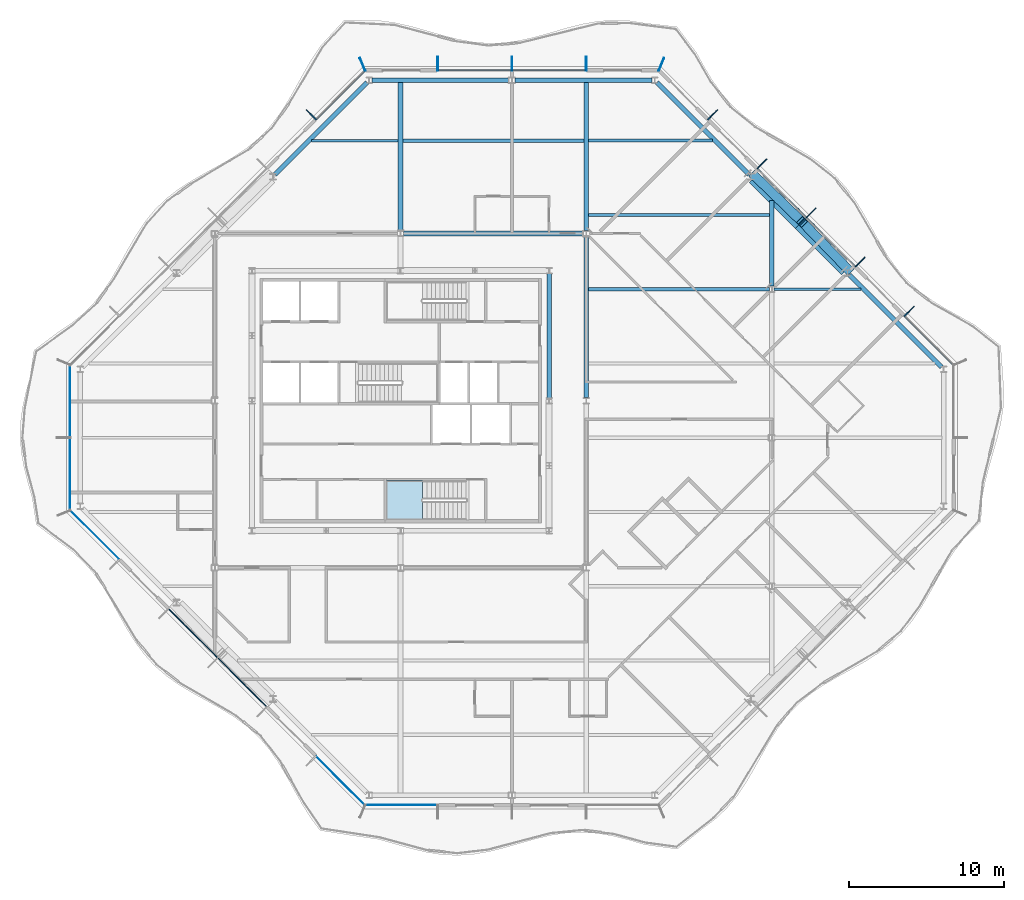
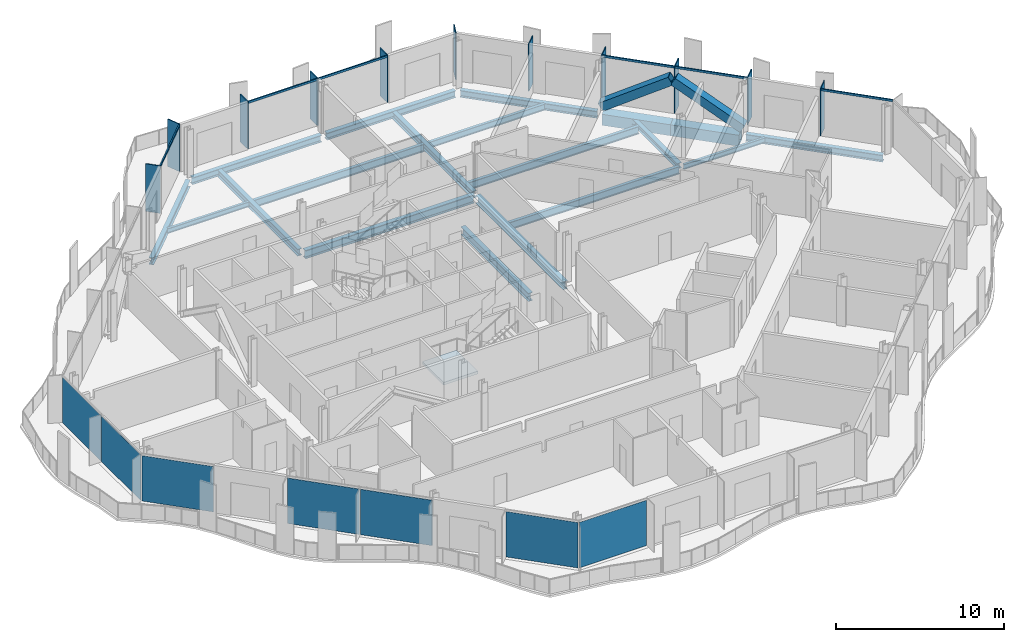
# One storey, part 5 of 17: 19 beams, 19 members, 7 plates, 1 slab, 7 elements without a shape of their own.
"""IFC4 building model written with IfcOpenShell, lengths in metres."""

from ifc_helpers import new_model, si_unit, direction, frame, origin, origin_2d, place, context, subcontext, project, spatial, polyline, rectangle, hollow_rectangle, i_section, outline, extrude, material, layer, layer_set, material_profile, profile_set, type_object, element, aggregate, save


model = new_model("IFC4")

# Units and contexts
model_context = context("Model", 3, precision=1e-05, world=origin(), true_north=direction((0.0, 1.0)))
body_context = subcontext(model_context, "Body", "Model", "MODEL_VIEW")
ifc_project = project(units=[si_unit("LENGTHUNIT", "METRE"), si_unit("AREAUNIT", "SQUARE_METRE"), si_unit("VOLUMEUNIT", "CUBIC_METRE"), si_unit("PLANEANGLEUNIT", "RADIAN"), si_unit("MASSUNIT", "GRAM", prefix="KILO")], contexts=[model_context])

# Site, building, storey
site_placement = place(None, origin())
site = spatial("IfcSite", under=ifc_project, at=site_placement, CompositionType="ELEMENT")
building_placement = place(site_placement, origin())
building = spatial("IfcBuilding", under=site, at=building_placement, Name="Cairn Pilgrim Tower", CompositionType="ELEMENT")
storey_placement = place(building_placement, frame((0.0, 0.0, 246.60009765625)))
storey = spatial("IfcBuildingStorey", under=building, at=storey_placement, Name="L63", CompositionType="ELEMENT", Elevation=246.60009765625)

# Members
ifc_material_1 = material(Name="Structural steel S460M", Category="steel")
ifc_material_profile_1 = material_profile(ifc_material_1, hollow_rectangle(XDim=0.60009765625, YDim=0.60009765625, WallThickness=0.034912109375, at=origin_2d()), Name="BOX 600x600x35")
ifc_profile_set_1 = profile_set([ifc_material_profile_1], Name="Structural steel S460M")
member_type_1 = type_object("IfcMemberType", Name="BOX 600x600x35 BRACE", PredefinedType="BRACE", material=ifc_profile_set_1)
for number, where, z_axis, x_axis, name in (
    (1, (36.194580078125, 10.813232421875, 0.14990234375), (-0.593141693494, 0.611806144004, 0.523331800675), (-0.717973624454, -0.696070308653, 0.0), "XB-NE2-NE3-1"),
    (2, (30.01318359375, 16.99462890625, 0.14990234375), (0.611806144004, -0.593141693494, 0.523331800675), (0.696070308653, 0.717973624454, 0.0), "XB-NE2-NE3-2"),
):
    element("IfcMember", number, at=place(storey_placement, frame(where, z_axis=z_axis, x_axis=x_axis)), inside=storey, type_object=member_type_1, Name=name, PredefinedType="BRACE", context=body_context, shape_type="SweptSolid", body=[
        extrude(hollow_rectangle(XDim=0.60009765625, YDim=0.60009765625, WallThickness=0.034912109375, at=origin_2d()), origin(), (0.0, 0.0, 1.0), 5.035888671875),
    ])

# Beams
ifc_material_2 = material(Name="Structural steel S355J2", Category="steel")
ifc_material_profile_2 = material_profile(ifc_material_2, hollow_rectangle(XDim=0.699951171875, YDim=0.800048828125, WallThickness=0.0400390625, at=origin_2d()), Name="BOX 700x800x40")
ifc_profile_set_2 = profile_set([ifc_material_profile_2], Name="Structural steel S355J2")
beam_type_1 = type_object("IfcBeamType", Name="BOX 700x800x40 RING GIRDER", PredefinedType="SPANDREL", material=ifc_profile_set_2)
for number, where, z_axis, x_axis, name in (
    (3, (35.947265625, 10.780029296875, -0.550048828125), (-0.707106781187, 0.707106781187, 0.0), (-0.707106781187, -0.707106781187, 0.0), "RG3-NE2-NE3-1"),
    (4, (32.963623046875, 13.763671875, -0.550048828125), (-0.707106781187, 0.707106781187, 0.0), (-0.707106781187, -0.707106781187, 0.0), "RG3-NE2-NE3-2"),
):
    element("IfcBeam", number, at=place(storey_placement, frame(where, z_axis=z_axis, x_axis=x_axis)), inside=storey, type_object=beam_type_1, Name=name, PredefinedType="SPANDREL", context=body_context, shape_type="SweptSolid", body=[
        extrude(hollow_rectangle(XDim=0.699951171875, YDim=0.800048828125, WallThickness=0.0400390625, at=origin_2d()), origin(), (0.0, 0.0, 1.0), 4.219482421875),
    ])

# Curtain wall, members
ifc_material_3 = material(Name="Aluminium alloy 6063-T6 bronze anodised with Bronze tinted laminated low-E glass 8+16+8.8", Category="aluminium")
curtain_wall_type_1 = type_object("IfcCurtainWallType", Name="CHAMFER CORNER CURTAIN WALL", PredefinedType="NOTDEFINED", material=ifc_material_3)
curtain_wall_1_placement = place(storey_placement, origin())
curtain_wall_1 = element("IfcCurtainWall", 5, at=curtain_wall_1_placement, inside=storey, type_object=curtain_wall_type_1, Name="Chamfer Corner Curtain Wall NE", PredefinedType="NOTDEFINED")
ifc_material_4 = material(Name="Aluminium alloy 6063-T6 bronze anodised", Category="aluminium")
ifc_material_profile_3 = material_profile(ifc_material_4, rectangle(XDim=0.89990234375, YDim=0.06005859375, at=origin_2d()), Name="FIN MULLION 60x900 BRONZE")
ifc_profile_set_3 = profile_set([ifc_material_profile_3], Name="Aluminium alloy 6063-T6 bronze anodised")
member_type_2 = type_object("IfcMemberType", Name="FIN MULLION 60x900 BRONZE", PredefinedType="MULLION", material=ifc_profile_set_3)
member_1_placement = place(storey_placement, frame((40.0712890625, 8.1689453125, 0.0), z_axis=(0.0, 0.0, 1.0), x_axis=(0.707106781187, 0.707106781187, 0.0)))
member_1 = element("IfcMember", 6, at=member_1_placement, type_object=member_type_2, Name="Fin mullion NE2", PredefinedType="MULLION", context=body_context, shape_type="SweptSolid", body=[
    extrude(rectangle(XDim=0.89990234375, YDim=0.06005859375, at=origin_2d()), origin(), (0.0, 0.0, 1.0), 3.449951171875),
])
member_2_placement = place(storey_placement, frame((36.895751953125, 11.3447265625, 0.0), z_axis=(0.0, 0.0, 1.0), x_axis=(0.707106781187, 0.707106781187, 0.0)))
member_2 = element("IfcMember", 7, at=member_2_placement, type_object=member_type_2, Name="Fin mullion NE3", PredefinedType="MULLION", context=body_context, shape_type="SweptSolid", body=[
    extrude(rectangle(XDim=0.89990234375, YDim=0.06005859375, at=origin_2d()), origin(), (0.0, 0.0, 1.0), 3.449951171875),
])
member_3_placement = place(storey_placement, frame((33.72021484375, 14.520263671875, 0.0), z_axis=(0.0, 0.0, 1.0), x_axis=(0.707106781187, 0.707106781187, 0.0)))
member_3 = element("IfcMember", 8, at=member_3_placement, type_object=member_type_2, Name="Fin mullion NE4", PredefinedType="MULLION", context=body_context, shape_type="SweptSolid", body=[
    extrude(rectangle(XDim=0.89990234375, YDim=0.06005859375, at=origin_2d()), origin(), (0.0, 0.0, 1.0), 3.449951171875),
])
member_4_placement = place(storey_placement, frame((30.544677734375, 17.69580078125, 0.0), z_axis=(0.0, 0.0, 1.0), x_axis=(0.707106781187, 0.707106781187, 0.0)))
member_4 = element("IfcMember", 9, at=member_4_placement, type_object=member_type_2, Name="Fin mullion NE5", PredefinedType="MULLION", context=body_context, shape_type="SweptSolid", body=[
    extrude(rectangle(XDim=0.89990234375, YDim=0.06005859375, at=origin_2d()), origin(), (0.0, 0.0, 1.0), 3.449951171875),
])
member_5_placement = place(storey_placement, frame((27.369140625, 20.871337890625, 0.0), z_axis=(0.0, 0.0, 1.0), x_axis=(0.707106781187, 0.707106781187, 0.0)))
member_5 = element("IfcMember", 10, at=member_5_placement, type_object=member_type_2, Name="Fin mullion NE6", PredefinedType="MULLION", context=body_context, shape_type="SweptSolid", body=[
    extrude(rectangle(XDim=0.89990234375, YDim=0.06005859375, at=origin_2d()), origin(), (0.0, 0.0, 1.0), 3.449951171875),
])

curtain_wall_type_2 = type_object("IfcCurtainWallType", Name="TOWER STICK CURTAIN WALL NS", PredefinedType="NOTDEFINED", material=ifc_material_3)
curtain_wall_2_placement = place(storey_placement, origin())
curtain_wall_2 = element("IfcCurtainWall", 11, at=curtain_wall_2_placement, inside=storey, type_object=curtain_wall_type_2, Name="Tower Stick Curtain Wall Ns N", PredefinedType="NOTDEFINED")
member_6_placement = place(storey_placement, frame((24.05712890625, 24.137939453125, 0.0), z_axis=(0.0, 0.0, 1.0), x_axis=(0.382683432365, 0.923879532511, 0.0)))
member_6 = element("IfcMember", 12, at=member_6_placement, type_object=member_type_2, Name="Fin mullion N1", PredefinedType="MULLION", context=body_context, shape_type="SweptSolid", body=[
    extrude(rectangle(XDim=0.89990234375, YDim=0.06005859375, at=origin_2d()), origin(), (0.0, 0.0, 1.0), 3.449951171875),
])
member_7_placement = place(storey_placement, frame((19.199951171875, 24.169921875, 0.0), z_axis=(0.0, 0.0, 1.0), x_axis=(0.0, 1.0, 0.0)))
member_7 = element("IfcMember", 13, at=member_7_placement, type_object=member_type_2, Name="Fin mullion N2", PredefinedType="MULLION", context=body_context, shape_type="SweptSolid", body=[
    extrude(rectangle(XDim=0.89990234375, YDim=0.06005859375, at=origin_2d()), origin(), (0.0, 0.0, 1.0), 3.449951171875),
])
member_8_placement = place(storey_placement, frame((14.39990234375, 24.169921875, 0.0), z_axis=(0.0, 0.0, 1.0), x_axis=(0.0, 1.0, 0.0)))
member_8 = element("IfcMember", 14, at=member_8_placement, type_object=member_type_2, Name="Fin mullion N3", PredefinedType="MULLION", context=body_context, shape_type="SweptSolid", body=[
    extrude(rectangle(XDim=0.89990234375, YDim=0.06005859375, at=origin_2d()), origin(), (0.0, 0.0, 1.0), 3.449951171875),
])
member_9_placement = place(storey_placement, frame((9.60009765625, 24.169921875, 0.0), z_axis=(0.0, 0.0, 1.0), x_axis=(0.0, 1.0, 0.0)))
member_9 = element("IfcMember", 15, at=member_9_placement, type_object=member_type_2, Name="Fin mullion N4", PredefinedType="MULLION", context=body_context, shape_type="SweptSolid", body=[
    extrude(rectangle(XDim=0.89990234375, YDim=0.06005859375, at=origin_2d()), origin(), (0.0, 0.0, 1.0), 3.449951171875),
])

curtain_wall_3_placement = place(storey_placement, origin())
curtain_wall_3 = element("IfcCurtainWall", 16, at=curtain_wall_3_placement, inside=storey, type_object=curtain_wall_type_1, Name="Chamfer Corner Curtain Wall NW", PredefinedType="NOTDEFINED")
member_10_placement = place(storey_placement, frame((4.742919921875, 24.137939453125, 0.0), z_axis=(0.0, 0.0, 1.0), x_axis=(-0.382683432365, 0.923879532511, 0.0)))
member_10 = element("IfcMember", 17, at=member_10_placement, type_object=member_type_2, Name="Fin mullion NW1", PredefinedType="MULLION", context=body_context, shape_type="SweptSolid", body=[
    extrude(rectangle(XDim=0.89990234375, YDim=0.06005859375, at=origin_2d()), origin(), (0.0, 0.0, 1.0), 3.449951171875),
])
member_11_placement = place(storey_placement, frame((1.430908203125, 20.871337890625, 0.0), z_axis=(0.0, 0.0, 1.0), x_axis=(-0.707106781187, 0.707106781187, 0.0)))
member_11 = element("IfcMember", 18, at=member_11_placement, type_object=member_type_2, Name="Fin mullion NW2", PredefinedType="MULLION", context=body_context, shape_type="SweptSolid", body=[
    extrude(rectangle(XDim=0.89990234375, YDim=0.06005859375, at=origin_2d()), origin(), (0.0, 0.0, 1.0), 3.449951171875),
])

# Beams
ifc_material_profile_4 = material_profile(ifc_material_2, i_section(OverallWidth=0.300048828125, OverallDepth=0.39990234375, WebThickness=0.013427734375, FlangeThickness=0.02392578125, FilletRadius=0.027099609375, at=origin_2d()), Name="HEB 400")
ifc_profile_set_4 = profile_set([ifc_material_profile_4], Name="Structural steel S355J2")
beam_type_2 = type_object("IfcBeamType", Name="HEB 400 GIRDER", PredefinedType="BEAM", material=ifc_profile_set_4)
beam_1_placement = place(storey_placement, frame((31.199951171875, 9.799560546875, -0.35009765625), z_axis=(0.0, 1.0, 0.0), x_axis=(-1.0, 0.0, 0.0)))
element("IfcBeam", 19, at=beam_1_placement, inside=storey, type_object=beam_type_2, Name="PG5-4", PredefinedType="BEAM", context=body_context, shape_type="SweptSolid", body=[
    extrude(i_section(OverallWidth=0.300048828125, OverallDepth=0.39990234375, WebThickness=0.013427734375, FlangeThickness=0.02392578125, FilletRadius=0.027099609375, at=origin_2d()), origin(), (0.0, 0.0, 1.0), 5.545654296875),
])
ifc_material_profile_5 = material_profile(ifc_material_2, i_section(OverallWidth=0.300048828125, OverallDepth=0.5, WebThickness=0.014404296875, FlangeThickness=0.028076171875, FilletRadius=0.027099609375, at=origin_2d()), Name="HEB 500")
ifc_profile_set_5 = profile_set([ifc_material_profile_5], Name="Structural steel S355J2")
beam_type_3 = type_object("IfcBeamType", Name="HEB 500 GIRDER", PredefinedType="BEAM", material=ifc_profile_set_5)
for number, where, z_axis, x_axis, name in (
    (20, (7.199951171875, 13.39697265625, -0.400146484375), (0.0, 1.0, 0.0), (-1.0, 0.0, 0.0), "PG3-2"),
    (21, (19.199951171875, 13.39697265625, -0.400146484375), (0.0, 1.0, 0.0), (-1.0, 0.0, 0.0), "PG4-4"),
):
    element("IfcBeam", number, at=place(storey_placement, frame(where, z_axis=z_axis, x_axis=x_axis)), inside=storey, type_object=beam_type_3, Name=name, PredefinedType="BEAM", context=body_context, shape_type="SweptSolid", body=[
        extrude(i_section(OverallWidth=0.300048828125, OverallDepth=0.5, WebThickness=0.014404296875, FlangeThickness=0.028076171875, FilletRadius=0.027099609375, at=origin_2d()), origin(), (0.0, 0.0, 1.0), 9.5830078125),
    ])
ifc_material_profile_6 = material_profile(ifc_material_2, i_section(OverallWidth=0.300048828125, OverallDepth=0.5, WebThickness=0.014404296875, FlangeThickness=0.028076171875, FilletRadius=0.027099609375, at=origin_2d()), Name="HEB 500")
ifc_profile_set_6 = profile_set([ifc_material_profile_6], Name="Structural steel S355J2")
beam_type_4 = type_object("IfcBeamType", Name="HEB 500 RING GIRDER", PredefinedType="SPANDREL", material=ifc_profile_set_6)
for number, where, z_axis, x_axis, name in (
    (22, (42.17138671875, 4.555908203125, -0.400146484375), (-0.707106781187, 0.707106781187, 0.0), (-0.707106781187, -0.707106781187, 0.0), "RG3-NE1-NE2"),
    (23, (29.722900390625, 17.00439453125, -0.400146484375), (-0.707106781187, 0.707106781187, 0.0), (-0.707106781187, -0.707106781187, 0.0), "RG3-NE3-N1"),
):
    element("IfcBeam", number, at=place(storey_placement, frame(where, z_axis=z_axis, x_axis=x_axis)), inside=storey, type_object=beam_type_4, Name=name, PredefinedType="SPANDREL", context=body_context, shape_type="SweptSolid", body=[
        extrude(i_section(OverallWidth=0.300048828125, OverallDepth=0.5, WebThickness=0.014404296875, FlangeThickness=0.028076171875, FilletRadius=0.027099609375, at=origin_2d()), origin(), (0.0, 0.0, 1.0), 8.438720703125),
    ])
beam_2_placement = place(storey_placement, frame((23.4453125, 23.10009765625, -0.400146484375), z_axis=(-1.0, 0.0, 0.0), x_axis=(0.0, -1.0, 0.0)))
element("IfcBeam", 24, at=beam_2_placement, inside=storey, type_object=beam_type_4, Name="RG3-N1-N2", PredefinedType="SPANDREL", context=body_context, shape_type="SweptSolid", body=[
    extrude(i_section(OverallWidth=0.300048828125, OverallDepth=0.5, WebThickness=0.014404296875, FlangeThickness=0.028076171875, FilletRadius=0.027099609375, at=origin_2d()), origin(), (0.0, 0.0, 1.0), 8.863525390625),
])
beam_3_placement = place(storey_placement, frame((14.21826171875, 23.10009765625, -0.400146484375), z_axis=(-1.0, 0.0, 0.0), x_axis=(0.0, -1.0, 0.0)))
element("IfcBeam", 25, at=beam_3_placement, inside=storey, type_object=beam_type_4, Name="RG3-N2-NW1", PredefinedType="SPANDREL", context=body_context, shape_type="SweptSolid", body=[
    extrude(i_section(OverallWidth=0.300048828125, OverallDepth=0.5, WebThickness=0.014404296875, FlangeThickness=0.028076171875, FilletRadius=0.027099609375, at=origin_2d()), origin(), (0.0, 0.0, 1.0), 8.86376953125),
])
beam_4_placement = place(storey_placement, frame((5.044189453125, 22.971435546875, -0.400146484375), z_axis=(-0.707106781187, -0.707106781187, 0.0), x_axis=(0.707106781187, -0.707106781187, 0.0)))
element("IfcBeam", 26, at=beam_4_placement, inside=storey, type_object=beam_type_4, Name="RG3-NW1-NW2", PredefinedType="SPANDREL", context=body_context, shape_type="SweptSolid", body=[
    extrude(i_section(OverallWidth=0.300048828125, OverallDepth=0.5, WebThickness=0.014404296875, FlangeThickness=0.028076171875, FilletRadius=0.027099609375, at=origin_2d()), origin(), (0.0, 0.0, 1.0), 8.438720703125),
])
ifc_material_profile_7 = material_profile(ifc_material_2, i_section(OverallWidth=0.300048828125, OverallDepth=0.60009765625, WebThickness=0.015380859375, FlangeThickness=0.030029296875, FilletRadius=0.027099609375, at=origin_2d()), Name="HEB 600")
ifc_profile_set_7 = profile_set([ifc_material_profile_7], Name="Structural steel S355J2")
beam_type_5 = type_object("IfcBeamType", Name="HEB 600 CORE BEAM", PredefinedType="BEAM", material=ifc_profile_set_7)
beam_5_placement = place(storey_placement, frame((16.800048828125, 2.5791015625, -0.4501953125), z_axis=(0.0, 1.0, 0.0), x_axis=(-1.0, 0.0, 0.0)))
element("IfcBeam", 27, at=beam_5_placement, inside=storey, type_object=beam_type_5, Name="CB-4", PredefinedType="BEAM", context=body_context, shape_type="SweptSolid", body=[
    extrude(i_section(OverallWidth=0.300048828125, OverallDepth=0.60009765625, WebThickness=0.015380859375, FlangeThickness=0.030029296875, FilletRadius=0.027099609375, at=origin_2d()), origin(), (0.0, 0.0, 1.0), 8.041748046875),
])
ifc_material_profile_8 = material_profile(ifc_material_2, i_section(OverallWidth=0.300048828125, OverallDepth=0.60009765625, WebThickness=0.015380859375, FlangeThickness=0.030029296875, FilletRadius=0.027099609375, at=origin_2d()), Name="HEB 600")
ifc_profile_set_8 = profile_set([ifc_material_profile_8], Name="Structural steel S355J2")
beam_type_6 = type_object("IfcBeamType", Name="HEB 600 GIRDER", PredefinedType="BEAM", material=ifc_profile_set_8)
beam_6_placement = place(storey_placement, frame((19.199951171875, 2.596923828125, -0.4501953125), z_axis=(0.0, 1.0, 0.0), x_axis=(-1.0, 0.0, 0.0)))
element("IfcBeam", 28, at=beam_6_placement, inside=storey, type_object=beam_type_6, Name="PG4-3", PredefinedType="BEAM", context=body_context, shape_type="SweptSolid", body=[
    extrude(i_section(OverallWidth=0.300048828125, OverallDepth=0.60009765625, WebThickness=0.015380859375, FlangeThickness=0.030029296875, FilletRadius=0.027099609375, at=origin_2d()), origin(), (0.0, 0.0, 1.0), 10.406005859375),
])
ifc_material_profile_9 = material_profile(ifc_material_2, i_section(OverallWidth=0.300048828125, OverallDepth=0.60009765625, WebThickness=0.015380859375, FlangeThickness=0.030029296875, FilletRadius=0.027099609375, at=origin_2d()), Name="HEB 600")
ifc_profile_set_9 = profile_set([ifc_material_profile_9], Name="Structural steel S355J2")
beam_type_7 = type_object("IfcBeamType", Name="HEB 600 INNER GIRDER", PredefinedType="BEAM", material=ifc_profile_set_9)
beam_7_placement = place(storey_placement, frame((7.39697265625, 13.199951171875, -0.4501953125), z_axis=(1.0, 0.0, 0.0), x_axis=(0.0, 1.0, 0.0)))
element("IfcBeam", 29, at=beam_7_placement, inside=storey, type_object=beam_type_7, Name="IG2-2", PredefinedType="BEAM", context=body_context, shape_type="SweptSolid", body=[
    extrude(i_section(OverallWidth=0.300048828125, OverallDepth=0.60009765625, WebThickness=0.015380859375, FlangeThickness=0.030029296875, FilletRadius=0.027099609375, at=origin_2d()), origin(), (0.0, 0.0, 1.0), 11.60595703125),
])
ifc_material_profile_10 = material_profile(ifc_material_2, i_section(OverallWidth=0.169921875, OverallDepth=0.360107421875, WebThickness=0.008056640625, FlangeThickness=0.0126953125, FilletRadius=0.01806640625, at=origin_2d()), Name="IPE 360")
ifc_profile_set_10 = profile_set([ifc_material_profile_10], Name="Structural steel S355J2")
beam_type_8 = type_object("IfcBeamType", Name="IPE 360 SECONDARY BEAM", PredefinedType="JOIST", material=ifc_profile_set_10)
beam_8_placement = place(storey_placement, frame((31.35009765625, 9.60009765625, -0.330078125), z_axis=(1.0, 0.0, 0.0), x_axis=(0.0, 1.0, 0.0)))
element("IfcBeam", 30, at=beam_8_placement, inside=storey, type_object=beam_type_8, Name="SB7-3", PredefinedType="JOIST", context=body_context, shape_type="SweptSolid", body=[
    extrude(i_section(OverallWidth=0.169921875, OverallDepth=0.360107421875, WebThickness=0.008056640625, FlangeThickness=0.0126953125, FilletRadius=0.01806640625, at=origin_2d()), origin(), (0.0, 0.0, 1.0), 5.594970703125),
])
beam_9_placement = place(storey_placement, frame((1.454833984375, 19.199951171875, -0.330078125), z_axis=(1.0, 0.0, 0.0), x_axis=(0.0, 1.0, 0.0)))
element("IfcBeam", 31, at=beam_9_placement, inside=storey, type_object=beam_type_8, Name="SB9-1", PredefinedType="JOIST", context=body_context, shape_type="SweptSolid", body=[
    extrude(i_section(OverallWidth=0.169921875, OverallDepth=0.360107421875, WebThickness=0.008056640625, FlangeThickness=0.0126953125, FilletRadius=0.01806640625, at=origin_2d()), origin(), (0.0, 0.0, 1.0), 5.59521484375),
])
ifc_material_profile_11 = material_profile(ifc_material_2, i_section(OverallWidth=0.18994140625, OverallDepth=0.449951171875, WebThickness=0.009521484375, FlangeThickness=0.0146484375, FilletRadius=0.02099609375, at=origin_2d()), Name="IPE 450")
ifc_profile_set_11 = profile_set([ifc_material_profile_11], Name="Structural steel S355J2")
beam_type_9 = type_object("IfcBeamType", Name="IPE 450 SECONDARY BEAM", PredefinedType="JOIST", material=ifc_profile_set_11)
beam_10_placement = place(storey_placement, frame((19.35009765625, 19.199951171875, -0.375), z_axis=(1.0, 0.0, 0.0), x_axis=(0.0, 1.0, 0.0)))
element("IfcBeam", 32, at=beam_10_placement, inside=storey, type_object=beam_type_9, Name="SB9-3", PredefinedType="JOIST", context=body_context, shape_type="SweptSolid", body=[
    extrude(i_section(OverallWidth=0.18994140625, OverallDepth=0.449951171875, WebThickness=0.009521484375, FlangeThickness=0.0146484375, FilletRadius=0.02099609375, at=origin_2d()), origin(), (0.0, 0.0, 1.0), 7.9951171875),
])
ifc_material_profile_12 = material_profile(ifc_material_2, i_section(OverallWidth=0.2099609375, OverallDepth=0.550048828125, WebThickness=0.010986328125, FlangeThickness=0.01708984375, FilletRadius=0.02392578125, at=origin_2d()), Name="IPE 550")
ifc_profile_set_12 = profile_set([ifc_material_profile_12], Name="Structural steel S355J2")
beam_type_10 = type_object("IfcBeamType", Name="IPE 550 SECONDARY BEAM", PredefinedType="JOIST", material=ifc_profile_set_12)
for number, where, z_axis, x_axis, name in (
    (33, (19.35009765625, 9.60009765625, -0.425048828125), (1.0, 0.0, 0.0), (0.0, 1.0, 0.0), "SB7-2"),
    (34, (19.35009765625, 14.39990234375, -0.425048828125), (1.0, 0.0, 0.0), (0.0, 1.0, 0.0), "SB8-1"),
    (35, (7.35009765625, 19.199951171875, -0.425048828125), (1.0, 0.0, 0.0), (0.0, 1.0, 0.0), "SB9-2"),
):
    element("IfcBeam", number, at=place(storey_placement, frame(where, z_axis=z_axis, x_axis=x_axis)), inside=storey, type_object=beam_type_10, Name=name, PredefinedType="JOIST", context=body_context, shape_type="SweptSolid", body=[
        extrude(i_section(OverallWidth=0.2099609375, OverallDepth=0.550048828125, WebThickness=0.010986328125, FlangeThickness=0.01708984375, FilletRadius=0.02392578125, at=origin_2d()), origin(), (0.0, 0.0, 1.0), 11.699951171875),
    ])

# Member
ifc_material_profile_13 = material_profile(ifc_material_4, rectangle(XDim=0.080078125, YDim=0.14990234375, at=origin_2d()), Name="TRANSOM 80x150 BRONZE")
ifc_profile_set_13 = profile_set([ifc_material_profile_13], Name="Aluminium alloy 6063-T6 bronze anodised")
member_type_3 = type_object("IfcMemberType", Name="TRANSOM 80x150 BRONZE", PredefinedType="USERDEFINED", material=ifc_profile_set_13)
member_12_placement = place(storey_placement, frame((42.921630859375, 4.724609375, 3.375), z_axis=(-0.707079168996, 0.707134392299, 0.0), x_axis=(-0.707134392299, -0.707079168996, 0.0)))
member_12 = element("IfcMember", 36, at=member_12_placement, type_object=member_type_3, Name="Transom NE1", ObjectType="TRANSOM", PredefinedType="USERDEFINED", context=body_context, shape_type="SweptSolid", body=[
    extrude(rectangle(XDim=0.080078125, YDim=0.14990234375, at=origin_2d()), origin(), (0.0, 0.0, 1.0), 4.4208984375),
])

member_13_placement = place(storey_placement, frame((36.57763671875, 11.06884765625, 3.375), z_axis=(-0.707134329907, 0.707079231393, 0.0), x_axis=(-0.707079231393, -0.707134329907, 0.0)))
member_13 = element("IfcMember", 37, at=member_13_placement, type_object=member_type_3, Name="Transom NE3", ObjectType="TRANSOM", PredefinedType="USERDEFINED", context=body_context, shape_type="SweptSolid", body=[
    extrude(rectangle(XDim=0.080078125, YDim=0.14990234375, at=origin_2d()), origin(), (0.0, 0.0, 1.0), 4.430908203125),
])

member_14_placement = place(storey_placement, frame((33.402099609375, 14.244384765625, 3.375), z_axis=(-0.707106781187, 0.707106781187, 0.0), x_axis=(-0.707106781187, -0.707106781187, 0.0)))
member_14 = element("IfcMember", 38, at=member_14_placement, type_object=member_type_3, Name="Transom NE4", ObjectType="TRANSOM", PredefinedType="USERDEFINED", context=body_context, shape_type="SweptSolid", body=[
    extrude(rectangle(XDim=0.080078125, YDim=0.14990234375, at=origin_2d()), origin(), (0.0, 0.0, 1.0), 4.43115234375),
])

aggregate(curtain_wall_1, [member_1, member_2, member_3, member_4, member_5, member_12, member_13, member_14])

member_15_placement = place(storey_placement, frame((19.169921875, 23.75, 3.375), z_axis=(-1.0, 0.0, 0.0), x_axis=(0.0, -1.0, 0.0)))
member_15 = element("IfcMember", 39, at=member_15_placement, type_object=member_type_3, Name="Transom N2", ObjectType="TRANSOM", PredefinedType="USERDEFINED", context=body_context, shape_type="SweptSolid", body=[
    extrude(rectangle(XDim=0.080078125, YDim=0.14990234375, at=origin_2d()), origin(), (0.0, 0.0, 1.0), 4.739990234375),
])

member_16_placement = place(storey_placement, frame((14.3701171875, 23.75, 3.375), z_axis=(-1.0, 0.0, 0.0), x_axis=(0.0, -1.0, 0.0)))
member_16 = element("IfcMember", 40, at=member_16_placement, type_object=member_type_3, Name="Transom N3", ObjectType="TRANSOM", PredefinedType="USERDEFINED", context=body_context, shape_type="SweptSolid", body=[
    extrude(rectangle(XDim=0.080078125, YDim=0.14990234375, at=origin_2d()), origin(), (0.0, 0.0, 1.0), 4.740234375),
])

aggregate(curtain_wall_2, [member_6, member_7, member_8, member_9, member_15, member_16])

member_17_placement = place(storey_placement, frame((4.875244140625, 23.7216796875, 3.375), z_axis=(-0.707106781187, -0.707106781187, 0.0), x_axis=(0.707106781187, -0.707106781187, 0.0)))
member_17 = element("IfcMember", 41, at=member_17_placement, type_object=member_type_3, Name="Transom NW1", ObjectType="TRANSOM", PredefinedType="USERDEFINED", context=body_context, shape_type="SweptSolid", body=[
    extrude(rectangle(XDim=0.080078125, YDim=0.14990234375, at=origin_2d()), origin(), (0.0, 0.0, 1.0), 4.4208984375),
])

aggregate(curtain_wall_3, [member_10, member_11, member_17])

# Curtain wall, plates
curtain_wall_4_placement = place(storey_placement, origin())
curtain_wall_4 = element("IfcCurtainWall", 42, at=curtain_wall_4_placement, inside=storey, type_object=curtain_wall_type_1, Name="Chamfer Corner Curtain Wall SW", PredefinedType="NOTDEFINED")
ifc_material_5 = material(Name="Bronze anodised aluminium spandrel panel with mineral wool insulation", Category="aluminium")
ifc_layer_1 = layer(ifc_material_5, 0.06005859375)
ifc_layer_set_1 = layer_set([ifc_layer_1], Name="SPANDREL PANEL 4431x3300")
plate_type_1 = type_object("IfcPlateType", Name="SPANDREL PANEL 4431x3300", PredefinedType="CURTAIN_PANEL", material=ifc_layer_set_1)
plate_1_placement = place(storey_placement, frame((-6.2109375, -12.635498046875, 0.0), z_axis=(0.0, 0.0, 1.0), x_axis=(0.707106781187, -0.707106781187, 0.0)))
plate_1 = element("IfcPlate", 43, at=plate_1_placement, type_object=plate_type_1, Name="Spandrel Panel SW3-1", PredefinedType="CURTAIN_PANEL", context=body_context, shape_type="SweptSolid", body=[
    extrude(rectangle(XDim=4.430908203125, YDim=0.06005859375, at=origin_2d()), origin(), (0.0, 0.0, 1.0), 3.300048828125),
])
plate_2_placement = place(storey_placement, frame((-3.035400390625, -15.81103515625, 0.0), z_axis=(0.0, 0.0, 1.0), x_axis=(0.707106781187, -0.707106781187, 0.0)))
plate_2 = element("IfcPlate", 44, at=plate_2_placement, type_object=plate_type_1, Name="Spandrel Panel SW4-1", PredefinedType="CURTAIN_PANEL", context=body_context, shape_type="SweptSolid", body=[
    extrude(rectangle(XDim=4.430908203125, YDim=0.06005859375, at=origin_2d()), origin(), (0.0, 0.0, 1.0), 3.300048828125),
])

# Stair, slab
ifc_material_6 = material(Name="Concrete C32/40", Category="concrete")
stair_type = type_object("IfcStairType", Name="EXIT STAIR 1200", PredefinedType="HALF_TURN_STAIR", material=ifc_material_6)
stair_placement = place(storey_placement, origin())
stair = element("IfcStair", 45, at=stair_placement, inside=storey, type_object=stair_type, Name="L63 Exit Stair A", PredefinedType="HALF_TURN_STAIR")
ifc_layer_2 = layer(ifc_material_6, 0.199951171875)
ifc_layer_set_2 = layer_set([ifc_layer_2], Name="STAIR LANDING 200")
slab_type = type_object("IfcSlabType", Name="STAIR LANDING 200", PredefinedType="LANDING", material=ifc_layer_set_2)
slab_placement = place(storey_placement, frame((0.0, 0.0, 1.599853515625)))
slab = element("IfcSlab", 46, at=slab_placement, type_object=slab_type, Name="ST-A landing 1", PredefinedType="LANDING", context=body_context, shape_type="SweptSolid", body=[
    extrude(outline(polyline([(8.625, -2.77490234375), (6.27490234375, -2.77490234375), (6.27490234375, -5.300048828125), (8.625, -5.300048828125), (8.625, -2.77490234375)])), origin(), (0.0, 0.0, 1.0), 0.199951171875),
])
aggregate(stair, [slab])

# Plate
ifc_material_7 = material(Name="Bronze tinted laminated low-E glass 8+16+8.8", Category="glass")
ifc_layer_3 = layer(ifc_material_7, 0.033935546875)
ifc_layer_set_3 = layer_set([ifc_layer_3], Name="VISION GLAZING 4421x3300")
plate_type_2 = type_object("IfcPlateType", Name="VISION GLAZING 4421x3300", PredefinedType="CURTAIN_PANEL", material=ifc_layer_set_3)
plate_3_placement = place(storey_placement, frame((-12.55859375, -6.287841796875, 0.0), z_axis=(0.0, 0.0, 1.0), x_axis=(0.707106781187, -0.707106781187, 0.0)))
plate_3 = element("IfcPlate", 47, at=plate_3_placement, type_object=plate_type_2, Name="Vision Glazing SW1-1", PredefinedType="CURTAIN_PANEL", context=body_context, shape_type="SweptSolid", body=[
    extrude(rectangle(XDim=4.4208984375, YDim=0.033935546875, at=origin_2d()), origin(), (0.0, 0.0, 1.0), 3.300048828125),
])

plate_4_placement = place(storey_placement, frame((3.312255859375, -22.15869140625, 0.0), z_axis=(0.0, 0.0, 1.0), x_axis=(0.707106781187, -0.707106781187, 0.0)))
plate_4 = element("IfcPlate", 48, at=plate_4_placement, type_object=plate_type_2, Name="Vision Glazing SW6-1", PredefinedType="CURTAIN_PANEL", context=body_context, shape_type="SweptSolid", body=[
    extrude(rectangle(XDim=4.4208984375, YDim=0.033935546875, at=origin_2d()), origin(), (0.0, 0.0, 1.0), 3.300048828125),
])

aggregate(curtain_wall_4, [plate_3, plate_1, plate_2, plate_4])

# Curtain wall, plate
curtain_wall_5_placement = place(storey_placement, origin())
curtain_wall_5 = element("IfcCurtainWall", 49, at=curtain_wall_5_placement, inside=storey, type_object=curtain_wall_type_2, Name="Tower Stick Curtain Wall Ns S", PredefinedType="NOTDEFINED")
ifc_layer_4 = layer(ifc_material_7, 0.033935546875)
ifc_layer_set_4 = layer_set([ifc_layer_4], Name="VISION GLAZING 4626x3300")
plate_type_3 = type_object("IfcPlateType", Name="VISION GLAZING 4626x3300", PredefinedType="CURTAIN_PANEL", material=ifc_layer_set_4)
plate_5_placement = place(storey_placement, frame((7.2568359375, -23.75, 0.0), z_axis=(0.0, 0.0, 1.0), x_axis=(1.0, 0.0, 0.0)))
plate_5 = element("IfcPlate", 50, at=plate_5_placement, type_object=plate_type_3, Name="Vision Glazing S1-1", PredefinedType="CURTAIN_PANEL", context=body_context, shape_type="SweptSolid", body=[
    extrude(rectangle(XDim=4.62646484375, YDim=0.033935546875, at=origin_2d()), origin(), (0.0, 0.0, 1.0), 3.300048828125),
])
aggregate(curtain_wall_5, [plate_5])

# Curtain wall, plates
curtain_wall_type_3 = type_object("IfcCurtainWallType", Name="TOWER STICK CURTAIN WALL EW", PredefinedType="NOTDEFINED", material=ifc_material_3)
curtain_wall_6_placement = place(storey_placement, origin())
curtain_wall_6 = element("IfcCurtainWall", 51, at=curtain_wall_6_placement, inside=storey, type_object=curtain_wall_type_3, Name="Tower Stick Curtain Wall Ew W", PredefinedType="NOTDEFINED")
plate_6_placement = place(storey_placement, frame((-14.14990234375, 2.34326171875, 0.0), z_axis=(0.0, 0.0, 1.0), x_axis=(0.0, -1.0, 0.0)))
plate_6 = element("IfcPlate", 52, at=plate_6_placement, type_object=plate_type_3, Name="Vision Glazing W1-1", PredefinedType="CURTAIN_PANEL", context=body_context, shape_type="SweptSolid", body=[
    extrude(rectangle(XDim=4.62646484375, YDim=0.033935546875, at=origin_2d()), origin(), (0.0, 0.0, 1.0), 3.300048828125),
])
plate_7_placement = place(storey_placement, frame((-14.14990234375, -2.34326171875, 0.0), z_axis=(0.0, 0.0, 1.0), x_axis=(0.0, -1.0, 0.0)))
plate_7 = element("IfcPlate", 53, at=plate_7_placement, type_object=plate_type_3, Name="Vision Glazing W2-1", PredefinedType="CURTAIN_PANEL", context=body_context, shape_type="SweptSolid", body=[
    extrude(rectangle(XDim=4.62646484375, YDim=0.033935546875, at=origin_2d()), origin(), (0.0, 0.0, 1.0), 3.300048828125),
])
aggregate(curtain_wall_6, [plate_6, plate_7])

save(model, "model.ifc")
